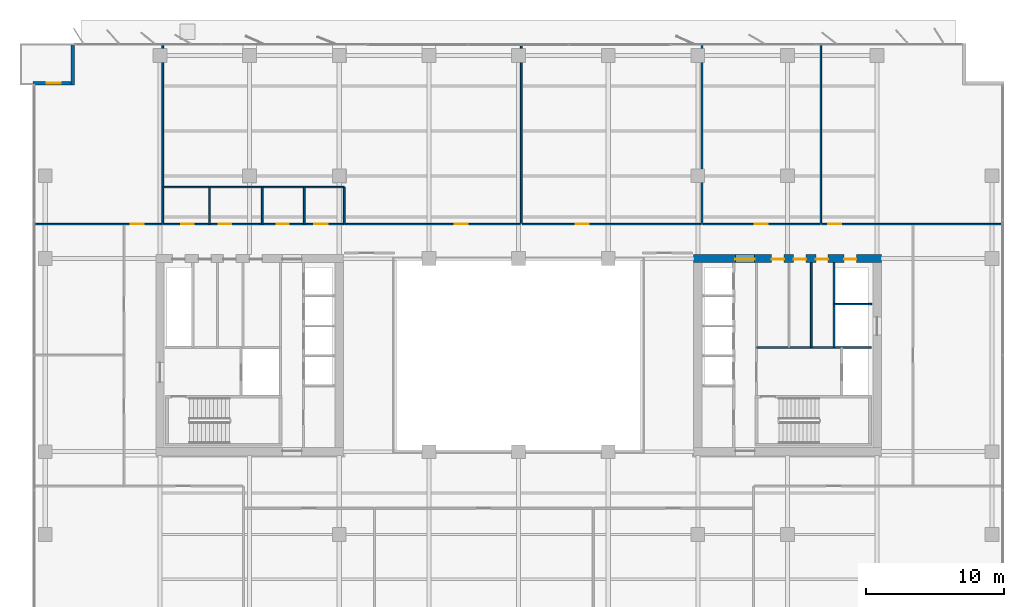
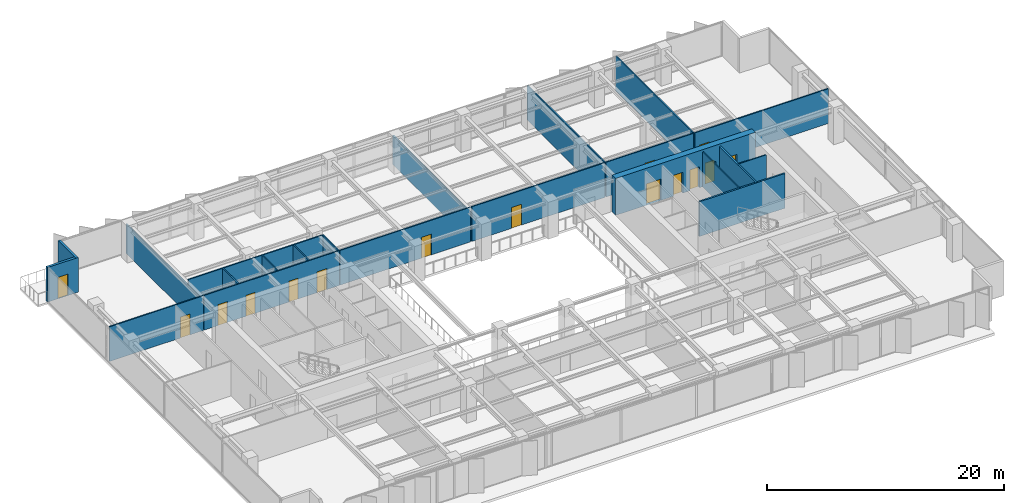
# One storey, part 17 of 22: 22 walls, 15 doors, 15 openings.
"""IFC4 building model written with IfcOpenShell, lengths in metres."""

from ifc_helpers import new_model, si_unit, direction, frame, frame_2d, origin, place, context, subcontext, project, spatial, rectangle, extrude, material, layer, layer_set, type_object, element, fill, save


model = new_model("IFC4")

# Units and contexts
model_context = context("Model", 3, precision=1e-05, world=origin(), true_north=direction((0.0, 1.0)))
body_context = subcontext(model_context, "Body", "Model", "MODEL_VIEW")
ifc_project = project(units=[si_unit("LENGTHUNIT", "METRE"), si_unit("AREAUNIT", "SQUARE_METRE"), si_unit("VOLUMEUNIT", "CUBIC_METRE"), si_unit("PLANEANGLEUNIT", "RADIAN"), si_unit("MASSUNIT", "GRAM", prefix="KILO")], contexts=[model_context])

# Site, building, storey
site_placement = place(None, origin())
site = spatial("IfcSite", under=ifc_project, at=site_placement, CompositionType="ELEMENT")
building_placement = place(site_placement, origin())
building = spatial("IfcBuilding", under=site, at=building_placement, Name="Putna Gate Headquarters", CompositionType="ELEMENT")
storey_placement = place(building_placement, frame((0.0, 0.0, 144.199951171875)))
storey = spatial("IfcBuildingStorey", under=building, at=storey_placement, Name="L35", CompositionType="ELEMENT", Elevation=144.199951171875)

# Wall, openings, doors
ifc_material_1 = material(Name="Concrete C50/60", Category="concrete")
ifc_layer_1 = layer(ifc_material_1, 0.60009765625)
ifc_layer_set_1 = layer_set([ifc_layer_1], Name="Concrete C50/60")
wall_type_1 = type_object("IfcWallType", Name="WALL-CORE-600", PredefinedType="SHEAR", material=ifc_layer_set_1)
wall_1_placement = place(storey_placement, frame((51.699951171875, 33.0, 0.0), z_axis=(0.0, 0.0, 1.0), x_axis=(1.0, 0.0, 0.0)))
wall_1 = element("IfcWall", 1, at=wall_1_placement, inside=storey, type_object=wall_type_1, Name="L35 EC Split Core Shear Wall N", PredefinedType="SHEAR", context=body_context, shape_type="SweptSolid", body=[
    extrude(rectangle(XDim=13.60009765625, YDim=0.60009765625, at=frame_2d((6.800048828125, 0.0))), origin(), (0.0, 0.0, 1.0), 3.800048828125),
])
opening_1_placement = place(wall_1_placement, frame((3.02001953125, 0.0, 0.0)))
opening_1 = element("IfcOpeningElement", 2, at=opening_1_placement, cuts=wall_1, Name="Opening FDD-140", PredefinedType="OPENING", context=body_context, shape_type="SweptSolid", body=[
    extrude(rectangle(XDim=1.39990234375, YDim=2.199951171875, at=frame_2d((0.699951171875, 1.10009765625))), frame((0.0, 0.31005859375, 0.0), z_axis=(0.0, -1.0, 0.0), x_axis=(1.0, 0.0, 0.0)), (0.0, 0.0, 1.0), 0.6201171875),
])
opening_2_placement = place(wall_1_placement, frame((10.89990234375, 0.0, 0.0)))
opening_2 = element("IfcOpeningElement", 3, at=opening_2_placement, cuts=wall_1, Name="Opening RD-90", PredefinedType="OPENING", context=body_context, shape_type="SweptSolid", body=[
    extrude(rectangle(XDim=0.89990234375, YDim=2.14990234375, at=frame_2d((0.449951171875, 1.074951171875))), frame((0.0, 0.31005859375, 0.0), z_axis=(0.0, -1.0, 0.0), x_axis=(1.0, 0.0, 0.0)), (0.0, 0.0, 1.0), 0.6201171875),
])
opening_3_placement = place(wall_1_placement, frame((5.64990234375, 0.0, 0.0)))
opening_3 = element("IfcOpeningElement", 4, at=opening_3_placement, cuts=wall_1, Name="Opening IDS-90", PredefinedType="OPENING", context=body_context, shape_type="SweptSolid", body=[
    extrude(rectangle(XDim=0.89990234375, YDim=2.14990234375, at=frame_2d((0.449951171875, 1.074951171875))), frame((0.0, 0.31005859375, 0.0), z_axis=(0.0, -1.0, 0.0), x_axis=(1.0, 0.0, 0.0)), (0.0, 0.0, 1.0), 0.6201171875),
])
opening_4_placement = place(wall_1_placement, frame((7.25, 0.0, 0.0)))
opening_4 = element("IfcOpeningElement", 5, at=opening_4_placement, cuts=wall_1, Name="Opening IDS-90", PredefinedType="OPENING", context=body_context, shape_type="SweptSolid", body=[
    extrude(rectangle(XDim=0.89990234375, YDim=2.14990234375, at=frame_2d((0.449951171875, 1.074951171875))), frame((0.0, 0.31005859375, 0.0), z_axis=(0.0, -1.0, 0.0), x_axis=(1.0, 0.0, 0.0)), (0.0, 0.0, 1.0), 0.6201171875),
])
opening_5_placement = place(wall_1_placement, frame((8.85009765625, 0.0, 0.0)))
opening_5 = element("IfcOpeningElement", 6, at=opening_5_placement, cuts=wall_1, Name="Opening IDS-90", PredefinedType="OPENING", context=body_context, shape_type="SweptSolid", body=[
    extrude(rectangle(XDim=0.89990234375, YDim=2.14990234375, at=frame_2d((0.449951171875, 1.074951171875))), frame((0.0, 0.31005859375, 0.0), z_axis=(0.0, -1.0, 0.0), x_axis=(1.0, 0.0, 0.0)), (0.0, 0.0, 1.0), 0.6201171875),
])
ifc_material_2 = material(Name="Double steel fire door", Category="steel")
door_type_1 = type_object("IfcDoorType", Name="DOOR-FIRE-DBL-1400", OperationType="DOUBLE_DOOR_SINGLE_SWING", PredefinedType="DOOR", material=ifc_material_2)
door_1_placement = place(opening_1_placement, origin())
door_1 = element("IfcDoor", 7, at=door_1_placement, inside=storey, type_object=door_type_1, Name="L35 East Lift Lobby North Door", OperationType="DOUBLE_DOOR_SINGLE_SWING", OverallHeight=2.199951171875, OverallWidth=1.39990234375, PredefinedType="DOOR", context=body_context, shape_type="SweptSolid", body=[
    extrude(rectangle(XDim=1.39990234375, YDim=2.199951171875, at=frame_2d((0.699951171875, 1.10009765625))), frame((0.0, -0.02490234375, 0.0), z_axis=(0.0, -1.0, 0.0), x_axis=(1.0, 0.0, 0.0)), (0.0, 0.0, 1.0), 0.050048828125),
])
fill(opening_1, door_1)
ifc_material_3 = material(Name="Fire-rated utility door")
door_type_2 = type_object("IfcDoorType", Name="DOOR-INT-900", OperationType="NOTDEFINED", PredefinedType="DOOR", material=ifc_material_3)
door_2_placement = place(opening_3_placement, origin())
door_2 = element("IfcDoor", 8, at=door_2_placement, inside=storey, type_object=door_type_2, Name="L35 East Cleaner Store Door", OperationType="SINGLE_SWING_RIGHT", OverallHeight=2.14990234375, OverallWidth=0.89990234375, PredefinedType="DOOR", context=body_context, shape_type="SweptSolid", body=[
    extrude(rectangle(XDim=0.89990234375, YDim=2.14990234375, at=frame_2d((0.449951171875, 1.074951171875))), frame((0.0, -0.02490234375, 0.0), z_axis=(0.0, -1.0, 0.0), x_axis=(1.0, 0.0, 0.0)), (0.0, 0.0, 1.0), 0.050048828125),
])
fill(opening_3, door_2)
door_3_placement = place(opening_4_placement, origin())
door_3 = element("IfcDoor", 9, at=door_3_placement, inside=storey, type_object=door_type_2, Name="L35 BMS Outstation Door", OperationType="SINGLE_SWING_LEFT", OverallHeight=2.14990234375, OverallWidth=0.89990234375, PredefinedType="DOOR", context=body_context, shape_type="SweptSolid", body=[
    extrude(rectangle(XDim=0.89990234375, YDim=2.14990234375, at=frame_2d((0.449951171875, 1.074951171875))), frame((0.0, -0.02490234375, 0.0), z_axis=(0.0, -1.0, 0.0), x_axis=(1.0, 0.0, 0.0)), (0.0, 0.0, 1.0), 0.050048828125),
])
fill(opening_4, door_3)
door_4_placement = place(opening_5_placement, origin())
door_4 = element("IfcDoor", 10, at=door_4_placement, inside=storey, type_object=door_type_2, Name="L35 Facilities Equipment Store Door", OperationType="SINGLE_SWING_RIGHT", OverallHeight=2.14990234375, OverallWidth=0.89990234375, PredefinedType="DOOR", context=body_context, shape_type="SweptSolid", body=[
    extrude(rectangle(XDim=0.89990234375, YDim=2.14990234375, at=frame_2d((0.449951171875, 1.074951171875))), frame((0.0, -0.02490234375, 0.0), z_axis=(0.0, -1.0, 0.0), x_axis=(1.0, 0.0, 0.0)), (0.0, 0.0, 1.0), 0.050048828125),
])
fill(opening_5, door_4)
ifc_material_4 = material(Name="Steel riser access fire door", Category="steel")
door_type_3 = type_object("IfcDoorType", Name="DOOR-RISER-900", OperationType="NOTDEFINED", PredefinedType="DOOR", material=ifc_material_4)
door_5_placement = place(opening_2_placement, origin())
door_5 = element("IfcDoor", 11, at=door_5_placement, inside=storey, type_object=door_type_3, Name="L35 East Riser Access Door", OperationType="SINGLE_SWING_LEFT", OverallHeight=2.14990234375, OverallWidth=0.89990234375, PredefinedType="DOOR", context=body_context, shape_type="SweptSolid", body=[
    extrude(rectangle(XDim=0.89990234375, YDim=2.14990234375, at=frame_2d((0.449951171875, 1.074951171875))), frame((0.0, -0.02490234375, 0.0), z_axis=(0.0, -1.0, 0.0), x_axis=(1.0, 0.0, 0.0)), (0.0, 0.0, 1.0), 0.050048828125),
])
fill(opening_2, door_5)

# Wall
ifc_material_5 = material(Name="Precast concrete C40/50", Category="concrete")
ifc_layer_2 = layer(ifc_material_5, 0.239990234375)
ifc_layer_set_2 = layer_set([ifc_layer_2], Name="Precast concrete C40/50")
wall_type_2 = type_object("IfcWallType", Name="WALL-EXT-TERR-240", PredefinedType="STANDARD", material=ifc_layer_set_2)
wall_2_placement = place(storey_placement, frame((6.679931640625, 45.60009765625, 0.0), z_axis=(0.0, 0.0, 1.0), x_axis=(0.0, 1.0, 0.0)))
element("IfcWall", 12, at=wall_2_placement, inside=storey, type_object=wall_type_2, Name="L35 Corner Notch Return Wall NW-V", PredefinedType="STANDARD", context=body_context, shape_type="SweptSolid", body=[
    extrude(rectangle(XDim=3.0, YDim=0.239990234375, at=frame_2d((1.5, 0.0))), origin(), (0.0, 0.0, 1.0), 3.572021484375),
])

# Wall, opening, door
wall_3_placement = place(storey_placement, frame((3.800048828125, 45.719970703125, 0.0), z_axis=(0.0, 0.0, 1.0), x_axis=(1.0, 0.0, 0.0)))
wall_3 = element("IfcWall", 13, at=wall_3_placement, inside=storey, type_object=wall_type_2, Name="L35 Corner Notch Return Wall NW-H", PredefinedType="STANDARD", context=body_context, shape_type="SweptSolid", body=[
    extrude(rectangle(XDim=3.0, YDim=0.239990234375, at=frame_2d((1.5, 0.0))), origin(), (0.0, 0.0, 1.0), 3.572021484375),
])
opening_6_placement = place(wall_3_placement, frame((1.0, 0.0, 0.0)))
opening_6 = element("IfcOpeningElement", 14, at=opening_6_placement, cuts=wall_3, Name="Opening TRD-1", PredefinedType="OPENING", context=body_context, shape_type="SweptSolid", body=[
    extrude(rectangle(XDim=1.0, YDim=2.199951171875, at=frame_2d((0.5, 1.10009765625))), frame((0.0, 0.1298828125, 0.0), z_axis=(0.0, -1.0, 0.0), x_axis=(1.0, 0.0, 0.0)), (0.0, 0.0, 1.0), 0.260009765625),
])
ifc_material_6 = material(Name="Thermally broken bronze glazed terrace door")
door_type_4 = type_object("IfcDoorType", Name="DOOR-TERR-EXT-1000", OperationType="NOTDEFINED", PredefinedType="DOOR", material=ifc_material_6)
door_6_placement = place(opening_6_placement, origin())
door_6 = element("IfcDoor", 15, at=door_6_placement, inside=storey, type_object=door_type_4, Name="L35 Spiral Sky Terrace Door NW", OperationType="SINGLE_SWING_RIGHT", OverallHeight=2.199951171875, OverallWidth=1.0, PredefinedType="DOOR", context=body_context, shape_type="SweptSolid", body=[
    extrude(rectangle(XDim=1.0, YDim=2.199951171875, at=frame_2d((0.5, 1.10009765625))), frame((0.0, 0.02490234375, 0.0), z_axis=(0.0, -1.0, 0.0), x_axis=(1.0, 0.0, 0.0)), (0.0, 0.0, 1.0), 0.050048828125),
])
fill(opening_6, door_6)

# Walls
ifc_material_7 = material(Name="Acoustic gypsum board on metal stud")
ifc_layer_3 = layer(ifc_material_7, 0.1201171875)
ifc_layer_set_3 = layer_set([ifc_layer_3], Name="Acoustic gypsum board on metal stud")
wall_type_3 = type_object("IfcWallType", Name="WALL-PART-120", PredefinedType="PARTITIONING", material=ifc_layer_set_3)
for number, where, z_axis, x_axis, name in (
    (16, (13.199951171875, 35.56005859375, 0.0), (0.0, 0.0, 1.0), (0.0, 1.0, 0.0), "L35 Interior Wall PART-L35-NB-DIV-01"),
    (17, (39.199951171875, 35.56005859375, 0.0), (0.0, 0.0, 1.0), (0.0, 1.0, 0.0), "L35 Interior Wall PART-L35-NB-DIV-02"),
):
    element("IfcWall", number, at=place(storey_placement, frame(where, z_axis=z_axis, x_axis=x_axis)), inside=storey, type_object=wall_type_3, Name=name, PredefinedType="PARTITIONING", context=body_context, shape_type="SweptSolid", body=[
        extrude(rectangle(XDim=13.02001953125, YDim=0.1201171875, at=frame_2d((6.510009765625, 0.0))), origin(), (0.0, 0.0, 1.0), 3.02197265625),
    ])
for number, where, z_axis, x_axis, name in (
    (18, (52.29736328125, 35.56005859375, 0.0), (0.0, 0.0, 1.0), (0.0, 1.0, 0.0), "L35 Interior Wall PART-L35-NB-DIV-03"),
    (19, (60.922607421875, 35.56005859375, 0.0), (0.0, 0.0, 1.0), (0.0, 1.0, 0.0), "L35 Interior Wall PART-L35-NB-DIV-04"),
):
    element("IfcWall", number, at=place(storey_placement, frame(where, z_axis=z_axis, x_axis=x_axis)), inside=storey, type_object=wall_type_3, Name=name, PredefinedType="PARTITIONING", context=body_context, shape_type="SweptSolid", body=[
        extrude(rectangle(XDim=13.02001953125, YDim=0.1201171875, at=frame_2d((6.510009765625, 0.0))), origin(), (0.0, 0.0, 1.0), 3.572021484375),
    ])
ifc_material_8 = material(Name="Fire-rated shaftwall gypsum board on metal stud")
ifc_layer_4 = layer(ifc_material_8, 0.1201171875)
ifc_layer_set_4 = layer_set([ifc_layer_4], Name="Fire-rated shaftwall gypsum board on metal stud")
wall_type_4 = type_object("IfcWallType", Name="WALL-PART-120-EI120", PredefinedType="PARTITIONING", material=ifc_layer_set_4)
wall_4_placement = place(storey_placement, frame((61.8701171875, 29.699951171875, 0.0), z_axis=(0.0, 0.0, 1.0), x_axis=(1.0, 0.0, 0.0)))
element("IfcWall", 20, at=wall_4_placement, inside=storey, type_object=wall_type_4, Name="L35 Interior Wall CWINT-L35-EC-LF15-N", PredefinedType="PARTITIONING", context=body_context, shape_type="SweptSolid", body=[
    extrude(rectangle(XDim=2.72998046875, YDim=0.1201171875, at=frame_2d((1.364990234375, 0.0))), origin(), (0.0, 0.0, 1.0), 3.572021484375),
])
ifc_material_9 = material(Name="Fire-rated gypsum board on metal stud")
ifc_layer_5 = layer(ifc_material_9, 0.1201171875)
ifc_layer_set_5 = layer_set([ifc_layer_5], Name="Fire-rated gypsum board on metal stud")
wall_type_5 = type_object("IfcWallType", Name="WALL-PART-120-RATED", PredefinedType="PARTITIONING", material=ifc_layer_set_5)
wall_5_placement = place(storey_placement, frame((60.219970703125, 26.56005859375, 0.0), z_axis=(0.0, 0.0, 1.0), x_axis=(0.0, 1.0, 0.0)))
element("IfcWall", 21, at=wall_5_placement, inside=storey, type_object=wall_type_5, Name="L35 Interior Wall CWINT-L35-EC-K2-D2", PredefinedType="PARTITIONING", context=body_context, shape_type="SweptSolid", body=[
    extrude(rectangle(XDim=6.139892578125, YDim=0.1201171875, at=frame_2d((3.06982421875, 0.0))), origin(), (0.0, 0.0, 1.0), 3.572021484375),
])

# Wall, openings, doors
wall_6_placement = place(storey_placement, frame((13.199951171875, 35.5, 0.0), z_axis=(0.0, 0.0, 1.0), x_axis=(1.0, 0.0, 0.0)))
wall_6 = element("IfcWall", 22, at=wall_6_placement, inside=storey, type_object=wall_type_5, Name="L35 Interior Wall PART-L35-SAN-CW", PredefinedType="PARTITIONING", context=body_context, shape_type="SweptSolid", body=[
    extrude(rectangle(XDim=13.16015625, YDim=0.1201171875, at=frame_2d((6.580078125, 0.0))), origin(), (0.0, 0.0, 1.0), 3.572021484375),
])
opening_7_placement = place(wall_6_placement, frame((1.35009765625, 0.0, 0.0)))
opening_7 = element("IfcOpeningElement", 23, at=opening_7_placement, cuts=wall_6, Name="Opening FD-90", PredefinedType="OPENING", context=body_context, shape_type="SweptSolid", body=[
    extrude(rectangle(XDim=0.89990234375, YDim=2.14990234375, at=frame_2d((0.449951171875, 1.074951171875))), frame((0.0, 0.070068359375, 0.0), z_axis=(0.0, -1.0, 0.0), x_axis=(1.0, 0.0, 0.0)), (0.0, 0.0, 1.0), 0.14013671875),
])
opening_8_placement = place(wall_6_placement, frame((4.050048828125, 0.0, 0.0)))
opening_8 = element("IfcOpeningElement", 24, at=opening_8_placement, cuts=wall_6, Name="Opening FD-90", PredefinedType="OPENING", context=body_context, shape_type="SweptSolid", body=[
    extrude(rectangle(XDim=0.89990234375, YDim=2.14990234375, at=frame_2d((0.449951171875, 1.074951171875))), frame((0.0, 0.070068359375, 0.0), z_axis=(0.0, -1.0, 0.0), x_axis=(1.0, 0.0, 0.0)), (0.0, 0.0, 1.0), 0.14013671875),
])
opening_9_placement = place(wall_6_placement, frame((8.25, 0.0, 0.0)))
opening_9 = element("IfcOpeningElement", 25, at=opening_9_placement, cuts=wall_6, Name="Opening FD-90", PredefinedType="OPENING", context=body_context, shape_type="SweptSolid", body=[
    extrude(rectangle(XDim=0.89990234375, YDim=2.14990234375, at=frame_2d((0.449951171875, 1.074951171875))), frame((0.0, 0.070068359375, 0.0), z_axis=(0.0, -1.0, 0.0), x_axis=(1.0, 0.0, 0.0)), (0.0, 0.0, 1.0), 0.14013671875),
])
opening_10_placement = place(wall_6_placement, frame((11.0, 0.0, 0.0)))
opening_10 = element("IfcOpeningElement", 26, at=opening_10_placement, cuts=wall_6, Name="Opening FD-95", PredefinedType="OPENING", context=body_context, shape_type="SweptSolid", body=[
    extrude(rectangle(XDim=0.949951171875, YDim=2.14990234375, at=frame_2d((0.47509765625, 1.074951171875))), frame((0.0, 0.070068359375, 0.0), z_axis=(0.0, -1.0, 0.0), x_axis=(1.0, 0.0, 0.0)), (0.0, 0.0, 1.0), 0.14013671875),
])
ifc_material_10 = material(Name="Acoustic washroom fire door")
door_type_5 = type_object("IfcDoorType", Name="DOOR-FIRE-900", OperationType="NOTDEFINED", PredefinedType="DOOR", material=ifc_material_10)
door_7_placement = place(opening_7_placement, origin())
door_7 = element("IfcDoor", 27, at=door_7_placement, inside=storey, type_object=door_type_5, Name="L35 Washroom Male Door", OperationType="SINGLE_SWING_LEFT", OverallHeight=2.14990234375, OverallWidth=0.89990234375, PredefinedType="DOOR", context=body_context, shape_type="SweptSolid", body=[
    extrude(rectangle(XDim=0.89990234375, YDim=2.14990234375, at=frame_2d((0.449951171875, 1.074951171875))), frame((0.0, 0.02490234375, 0.0), z_axis=(0.0, -1.0, 0.0), x_axis=(1.0, 0.0, 0.0)), (0.0, 0.0, 1.0), 0.050048828125),
])
fill(opening_7, door_7)
door_8_placement = place(opening_8_placement, origin())
door_8 = element("IfcDoor", 28, at=door_8_placement, inside=storey, type_object=door_type_5, Name="L35 Washroom Female Door", OperationType="SINGLE_SWING_RIGHT", OverallHeight=2.14990234375, OverallWidth=0.89990234375, PredefinedType="DOOR", context=body_context, shape_type="SweptSolid", body=[
    extrude(rectangle(XDim=0.89990234375, YDim=2.14990234375, at=frame_2d((0.449951171875, 1.074951171875))), frame((0.0, 0.02490234375, 0.0), z_axis=(0.0, -1.0, 0.0), x_axis=(1.0, 0.0, 0.0)), (0.0, 0.0, 1.0), 0.050048828125),
])
fill(opening_8, door_8)
door_9_placement = place(opening_9_placement, origin())
door_9 = element("IfcDoor", 29, at=door_9_placement, inside=storey, type_object=door_type_5, Name="L35 Accessible WC Door", OperationType="SINGLE_SWING_LEFT", OverallHeight=2.14990234375, OverallWidth=0.89990234375, PredefinedType="DOOR", context=body_context, shape_type="SweptSolid", body=[
    extrude(rectangle(XDim=0.89990234375, YDim=2.14990234375, at=frame_2d((0.449951171875, 1.074951171875))), frame((0.0, 0.02490234375, 0.0), z_axis=(0.0, -1.0, 0.0), x_axis=(1.0, 0.0, 0.0)), (0.0, 0.0, 1.0), 0.050048828125),
])
fill(opening_9, door_9)
ifc_material_11 = material(Name="Acoustic timber fire door", Category="wood")
door_type_6 = type_object("IfcDoorType", Name="DOOR-FIRE-950", OperationType="NOTDEFINED", PredefinedType="DOOR", material=ifc_material_11)
door_10_placement = place(opening_10_placement, origin())
door_10 = element("IfcDoor", 30, at=door_10_placement, inside=storey, type_object=door_type_6, Name="L35 Staff Pantry and Tea Point Door", OperationType="SINGLE_SWING_RIGHT", OverallHeight=2.14990234375, OverallWidth=0.949951171875, PredefinedType="DOOR", context=body_context, shape_type="SweptSolid", body=[
    extrude(rectangle(XDim=0.949951171875, YDim=2.14990234375, at=frame_2d((0.47509765625, 1.074951171875))), frame((0.0, 0.02490234375, 0.0), z_axis=(0.0, -1.0, 0.0), x_axis=(1.0, 0.0, 0.0)), (0.0, 0.0, 1.0), 0.050048828125),
])
fill(opening_10, door_10)

# Walls
wall_7_placement = place(storey_placement, frame((13.199951171875, 38.179931640625, 0.0), z_axis=(0.0, 0.0, 1.0), x_axis=(1.0, 0.0, 0.0)))
element("IfcWall", 31, at=wall_7_placement, inside=storey, type_object=wall_type_5, Name="L35 Interior Wall PART-L35-SAN-BACK", PredefinedType="PARTITIONING", context=body_context, shape_type="SweptSolid", body=[
    extrude(rectangle(XDim=13.16015625, YDim=0.1201171875, at=frame_2d((6.580078125, 0.0))), origin(), (0.0, 0.0, 1.0), 3.572021484375),
])
for number, where, z_axis, x_axis, name in (
    (32, (16.60009765625, 35.5, 0.0), (0.0, 0.0, 1.0), (0.0, 1.0, 0.0), "L35 Interior Wall PART-L35-SAN-DIV-1"),
    (33, (20.419921875, 35.5, 0.0), (0.0, 0.0, 1.0), (0.0, 1.0, 0.0), "L35 Interior Wall PART-L35-SAN-DIV-2"),
    (34, (23.4599609375, 35.5, 0.0), (0.0, 0.0, 1.0), (0.0, 1.0, 0.0), "L35 Interior Wall PART-L35-SAN-DIV-3"),
    (35, (26.360107421875, 35.5, 0.0), (0.0, 0.0, 1.0), (0.0, 1.0, 0.0), "L35 Interior Wall PART-L35-SAN-DIV-4"),
):
    element("IfcWall", number, at=place(storey_placement, frame(where, z_axis=z_axis, x_axis=x_axis)), inside=storey, type_object=wall_type_5, Name=name, PredefinedType="PARTITIONING", context=body_context, shape_type="SweptSolid", body=[
        extrude(rectangle(XDim=2.679931640625, YDim=0.1201171875, at=frame_2d((1.33984375, 0.0))), origin(), (0.0, 0.0, 1.0), 3.572021484375),
    ])

# Wall, opening, door
wall_8_placement = place(storey_placement, frame((3.97998046875, 35.5, 0.0), z_axis=(0.0, 0.0, 1.0), x_axis=(1.0, 0.0, 0.0)))
wall_8 = element("IfcWall", 36, at=wall_8_placement, inside=storey, type_object=wall_type_5, Name="L35 Interior Wall PART-L35-NB-CW-01", PredefinedType="PARTITIONING", context=body_context, shape_type="SweptSolid", body=[
    extrude(rectangle(XDim=9.159912109375, YDim=0.1201171875, at=frame_2d((4.580078125, 0.0))), origin(), (0.0, 0.0, 1.0), 3.572021484375),
])
opening_11_placement = place(wall_8_placement, frame((6.89990234375, 0.0, 0.0)))
opening_11 = element("IfcOpeningElement", 37, at=opening_11_placement, cuts=wall_8, Name="Opening FD-95", PredefinedType="OPENING", context=body_context, shape_type="SweptSolid", body=[
    extrude(rectangle(XDim=0.949951171875, YDim=2.14990234375, at=frame_2d((0.47509765625, 1.074951171875))), frame((0.0, 0.070068359375, 0.0), z_axis=(0.0, -1.0, 0.0), x_axis=(1.0, 0.0, 0.0)), (0.0, 0.0, 1.0), 0.14013671875),
])
door_11_placement = place(opening_11_placement, origin())
door_11 = element("IfcDoor", 38, at=door_11_placement, inside=storey, type_object=door_type_6, Name="L35 Conference Meeting Room 1 Door", OperationType="SINGLE_SWING_LEFT", OverallHeight=2.14990234375, OverallWidth=0.949951171875, PredefinedType="DOOR", context=body_context, shape_type="SweptSolid", body=[
    extrude(rectangle(XDim=0.949951171875, YDim=2.14990234375, at=frame_2d((0.47509765625, 1.074951171875))), frame((0.0, 0.02490234375, 0.0), z_axis=(0.0, -1.0, 0.0), x_axis=(1.0, 0.0, 0.0)), (0.0, 0.0, 1.0), 0.050048828125),
])
fill(opening_11, door_11)

wall_9_placement = place(storey_placement, frame((26.419921875, 35.5, 0.0), z_axis=(0.0, 0.0, 1.0), x_axis=(1.0, 0.0, 0.0)))
wall_9 = element("IfcWall", 39, at=wall_9_placement, inside=storey, type_object=wall_type_5, Name="L35 Interior Wall PART-L35-NB-CW-02", PredefinedType="PARTITIONING", context=body_context, shape_type="SweptSolid", body=[
    extrude(rectangle(XDim=12.719970703125, YDim=0.1201171875, at=frame_2d((6.35986328125, 0.0))), origin(), (0.0, 0.0, 1.0), 3.572021484375),
])
opening_12_placement = place(wall_9_placement, frame((7.9541015625, 0.0, 0.0)))
opening_12 = element("IfcOpeningElement", 40, at=opening_12_placement, cuts=wall_9, Name="Opening FD-95", PredefinedType="OPENING", context=body_context, shape_type="SweptSolid", body=[
    extrude(rectangle(XDim=0.949951171875, YDim=2.14990234375, at=frame_2d((0.47509765625, 1.074951171875))), frame((0.0, 0.070068359375, 0.0), z_axis=(0.0, -1.0, 0.0), x_axis=(1.0, 0.0, 0.0)), (0.0, 0.0, 1.0), 0.14013671875),
])
door_12_placement = place(opening_12_placement, origin())
door_12 = element("IfcDoor", 41, at=door_12_placement, inside=storey, type_object=door_type_6, Name="L35 Primary Open Office Workplace Door", OperationType="SINGLE_SWING_RIGHT", OverallHeight=2.14990234375, OverallWidth=0.949951171875, PredefinedType="DOOR", context=body_context, shape_type="SweptSolid", body=[
    extrude(rectangle(XDim=0.949951171875, YDim=2.14990234375, at=frame_2d((0.47509765625, 1.074951171875))), frame((0.0, 0.02490234375, 0.0), z_axis=(0.0, -1.0, 0.0), x_axis=(1.0, 0.0, 0.0)), (0.0, 0.0, 1.0), 0.050048828125),
])
fill(opening_12, door_12)

wall_10_placement = place(storey_placement, frame((39.260009765625, 35.5, 0.0), z_axis=(0.0, 0.0, 1.0), x_axis=(1.0, 0.0, 0.0)))
wall_10 = element("IfcWall", 42, at=wall_10_placement, inside=storey, type_object=wall_type_5, Name="L35 Interior Wall PART-L35-NB-CW-03", PredefinedType="PARTITIONING", context=body_context, shape_type="SweptSolid", body=[
    extrude(rectangle(XDim=12.977294921875, YDim=0.1201171875, at=frame_2d((6.48876953125, 0.0))), origin(), (0.0, 0.0, 1.0), 3.572021484375),
])
opening_13_placement = place(wall_10_placement, frame((3.893310546875, 0.0, 0.0)))
opening_13 = element("IfcOpeningElement", 43, at=opening_13_placement, cuts=wall_10, Name="Opening FD-95", PredefinedType="OPENING", context=body_context, shape_type="SweptSolid", body=[
    extrude(rectangle(XDim=0.949951171875, YDim=2.14990234375, at=frame_2d((0.47509765625, 1.074951171875))), frame((0.0, 0.070068359375, 0.0), z_axis=(0.0, -1.0, 0.0), x_axis=(1.0, 0.0, 0.0)), (0.0, 0.0, 1.0), 0.14013671875),
])
door_13_placement = place(opening_13_placement, origin())
door_13 = element("IfcDoor", 44, at=door_13_placement, inside=storey, type_object=door_type_6, Name="L35 Quiet Wellness Focus Studio 1 Door", OperationType="SINGLE_SWING_LEFT", OverallHeight=2.14990234375, OverallWidth=0.949951171875, PredefinedType="DOOR", context=body_context, shape_type="SweptSolid", body=[
    extrude(rectangle(XDim=0.949951171875, YDim=2.14990234375, at=frame_2d((0.47509765625, 1.074951171875))), frame((0.0, 0.02490234375, 0.0), z_axis=(0.0, -1.0, 0.0), x_axis=(1.0, 0.0, 0.0)), (0.0, 0.0, 1.0), 0.050048828125),
])
fill(opening_13, door_13)

wall_11_placement = place(storey_placement, frame((52.357421875, 35.5, 0.0), z_axis=(0.0, 0.0, 1.0), x_axis=(1.0, 0.0, 0.0)))
wall_11 = element("IfcWall", 45, at=wall_11_placement, inside=storey, type_object=wall_type_5, Name="L35 Interior Wall PART-L35-NB-CW-04", PredefinedType="PARTITIONING", context=body_context, shape_type="SweptSolid", body=[
    extrude(rectangle(XDim=8.505126953125, YDim=0.1201171875, at=frame_2d((4.25244140625, 0.0))), origin(), (0.0, 0.0, 1.0), 3.572021484375),
])
opening_14_placement = place(wall_11_placement, frame((3.777587890625, 0.0, 0.0)))
opening_14 = element("IfcOpeningElement", 46, at=opening_14_placement, cuts=wall_11, Name="Opening FD-95", PredefinedType="OPENING", context=body_context, shape_type="SweptSolid", body=[
    extrude(rectangle(XDim=0.949951171875, YDim=2.14990234375, at=frame_2d((0.47509765625, 1.074951171875))), frame((0.0, 0.070068359375, 0.0), z_axis=(0.0, -1.0, 0.0), x_axis=(1.0, 0.0, 0.0)), (0.0, 0.0, 1.0), 0.14013671875),
])
door_14_placement = place(opening_14_placement, origin())
door_14 = element("IfcDoor", 47, at=door_14_placement, inside=storey, type_object=door_type_6, Name="L35 Quiet Wellness Focus Studio 2 Door", OperationType="SINGLE_SWING_RIGHT", OverallHeight=2.14990234375, OverallWidth=0.949951171875, PredefinedType="DOOR", context=body_context, shape_type="SweptSolid", body=[
    extrude(rectangle(XDim=0.949951171875, YDim=2.14990234375, at=frame_2d((0.47509765625, 1.074951171875))), frame((0.0, 0.02490234375, 0.0), z_axis=(0.0, -1.0, 0.0), x_axis=(1.0, 0.0, 0.0)), (0.0, 0.0, 1.0), 0.050048828125),
])
fill(opening_14, door_14)

wall_12_placement = place(storey_placement, frame((60.982666015625, 35.5, 0.0), z_axis=(0.0, 0.0, 1.0), x_axis=(1.0, 0.0, 0.0)))
wall_12 = element("IfcWall", 48, at=wall_12_placement, inside=storey, type_object=wall_type_5, Name="L35 Interior Wall PART-L35-NB-CW-05", PredefinedType="PARTITIONING", context=body_context, shape_type="SweptSolid", body=[
    extrude(rectangle(XDim=13.037353515625, YDim=0.1201171875, at=frame_2d((6.5185546875, 0.0))), origin(), (0.0, 0.0, 1.0), 3.572021484375),
])
opening_15_placement = place(wall_12_placement, frame((0.47998046875, 0.0, 0.0)))
opening_15 = element("IfcOpeningElement", 49, at=opening_15_placement, cuts=wall_12, Name="Opening FD-95", PredefinedType="OPENING", context=body_context, shape_type="SweptSolid", body=[
    extrude(rectangle(XDim=0.949951171875, YDim=2.14990234375, at=frame_2d((0.47509765625, 1.074951171875))), frame((0.0, 0.070068359375, 0.0), z_axis=(0.0, -1.0, 0.0), x_axis=(1.0, 0.0, 0.0)), (0.0, 0.0, 1.0), 0.14013671875),
])
door_15_placement = place(opening_15_placement, origin())
door_15 = element("IfcDoor", 50, at=door_15_placement, inside=storey, type_object=door_type_6, Name="L35 Conference Meeting Room 2 Door", OperationType="SINGLE_SWING_LEFT", OverallHeight=2.14990234375, OverallWidth=0.949951171875, PredefinedType="DOOR", context=body_context, shape_type="SweptSolid", body=[
    extrude(rectangle(XDim=0.949951171875, YDim=2.14990234375, at=frame_2d((0.47509765625, 1.074951171875))), frame((0.0, 0.02490234375, 0.0), z_axis=(0.0, -1.0, 0.0), x_axis=(1.0, 0.0, 0.0)), (0.0, 0.0, 1.0), 0.050048828125),
])
fill(opening_15, door_15)

# Walls
ifc_material_12 = material(Name="Concrete C40/50", Category="concrete")
ifc_layer_6 = layer(ifc_material_12, 0.159912109375)
ifc_layer_set_6 = layer_set([ifc_layer_6], Name="Concrete C40/50")
wall_type_6 = type_object("IfcWallType", Name="WALL-SHAFT-160", PredefinedType="STANDARD", material=ifc_layer_set_6)
wall_13_placement = place(storey_placement, frame((56.260009765625, 26.56005859375, 0.0), z_axis=(0.0, 0.0, 1.0), x_axis=(1.0, 0.0, 0.0)))
element("IfcWall", 51, at=wall_13_placement, inside=storey, type_object=wall_type_6, Name="L35 Interior Wall CWINT-L35-EC-FFL-N", PredefinedType="STANDARD", context=body_context, shape_type="SweptSolid", body=[
    extrude(rectangle(XDim=8.340087890625, YDim=0.159912109375, at=frame_2d((4.169921875, 0.0))), origin(), (0.0, 0.0, 1.0), 3.572021484375),
])
wall_14_placement = place(storey_placement, frame((61.8701171875, 26.56005859375, 0.0), z_axis=(0.0, 0.0, 1.0), x_axis=(0.0, 1.0, 0.0)))
element("IfcWall", 52, at=wall_14_placement, inside=storey, type_object=wall_type_6, Name="L35 Interior Wall CWINT-L35-EC-LF15-W", PredefinedType="STANDARD", context=body_context, shape_type="SweptSolid", body=[
    extrude(rectangle(XDim=6.139892578125, YDim=0.159912109375, at=frame_2d((3.06982421875, 0.0))), origin(), (0.0, 0.0, 1.0), 3.572021484375),
])

save(model, "model.ifc")
